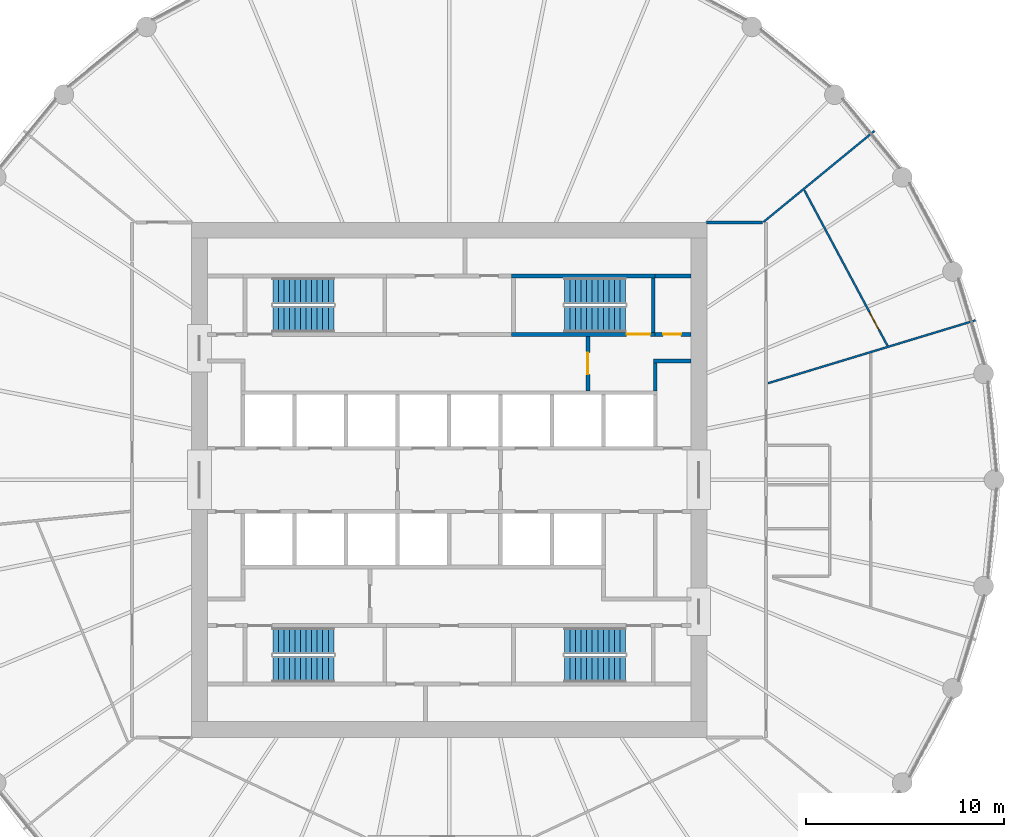
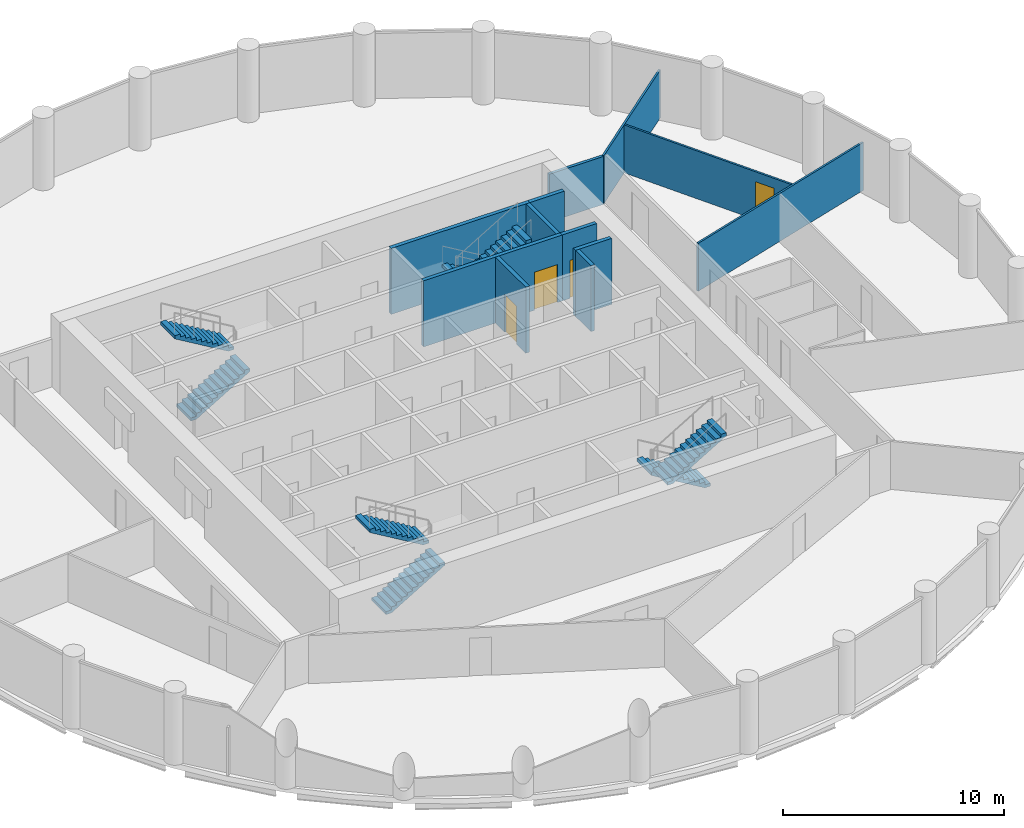
# One storey, part 7 of 8: 12 walls, 8 stair flights, 4 doors, 4 openings, 4 elements without a shape of their own.
"""IFC4 building model written with IfcOpenShell, lengths in metres."""

from ifc_helpers import new_model, si_unit, direction, frame, frame_2d, origin, place, context, subcontext, project, spatial, polyline, rectangle, outline, extrude, material, layer, layer_set, type_object, element, fill, aggregate, save


model = new_model("IFC4")

# Units and contexts
model_context = context("Model", 3, precision=1e-05, world=origin(), true_north=direction((0.0, 1.0)))
body_context = subcontext(model_context, "Body", "Model", "MODEL_VIEW")
ifc_project = project(units=[si_unit("LENGTHUNIT", "METRE"), si_unit("AREAUNIT", "SQUARE_METRE"), si_unit("VOLUMEUNIT", "CUBIC_METRE"), si_unit("PLANEANGLEUNIT", "RADIAN"), si_unit("MASSUNIT", "GRAM", prefix="KILO")], contexts=[model_context])

# Site, building, storey
site_placement = place(None, origin())
site = spatial("IfcSite", under=ifc_project, at=site_placement, CompositionType="ELEMENT")
building_placement = place(site_placement, origin())
building = spatial("IfcBuilding", under=site, at=building_placement, Name="Corvane Civic Tower", CompositionType="ELEMENT")
storey_placement = place(building_placement, frame((0.0, 0.0, 253.5)))
storey = spatial("IfcBuildingStorey", under=building, at=storey_placement, Name="L60", CompositionType="ELEMENT", Elevation=253.5)

# Wall, opening, door
ifc_material_1 = material(Name="Concrete C30/37", Category="concrete")
ifc_layer_1 = layer(ifc_material_1, 0.199951171875)
ifc_layer_set_1 = layer_set([ifc_layer_1], Name="Concrete C30/37")
wall_type_1 = type_object("IfcWallType", Name="CR-WALL-200", PredefinedType="PARTITIONING", material=ifc_layer_set_1)
wall_1_placement = place(storey_placement, frame((10.39990234375, 7.35009765625, 0.0), z_axis=(0.0, 0.0, 1.0), x_axis=(1.0, 0.0, 0.0)))
wall_1 = element("IfcWall", 1, at=wall_1_placement, inside=storey, type_object=wall_type_1, Name="L60 core partition wall", PredefinedType="PARTITIONING", context=body_context, shape_type="SweptSolid", body=[
    extrude(rectangle(XDim=1.800048828125, YDim=0.199951171875, at=frame_2d((0.89990234375, 0.0))), origin(), (0.0, 0.0, 1.0), 3.64990234375),
])
opening_1_placement = place(wall_1_placement, frame((0.39990234375, 0.0, 0.0)))
opening_1 = element("IfcOpeningElement", 2, at=opening_1_placement, cuts=wall_1, Name="Opening L60.C15", PredefinedType="OPENING", context=body_context, shape_type="SweptSolid", body=[
    extrude(rectangle(XDim=0.89990234375, YDim=2.10009765625, at=frame_2d((0.449951171875, 1.050048828125))), frame((0.0, 0.10986328125, 0.0), z_axis=(0.0, -1.0, 0.0), x_axis=(1.0, 0.0, 0.0)), (0.0, 0.0, 1.0), 0.219970703125),
])
ifc_material_2 = material(Name="Steel fire door leaf", Category="steel")
door_type_1 = type_object("IfcDoorType", Name="CR-DOOR-900", OperationType="SINGLE_SWING_LEFT", PredefinedType="DOOR", material=ifc_material_2)
door_1_placement = place(opening_1_placement, origin())
door_1 = element("IfcDoor", 3, at=door_1_placement, inside=storey, type_object=door_type_1, Name="L60 door", OperationType="SINGLE_SWING_LEFT", OverallHeight=2.10009765625, OverallWidth=0.89990234375, PredefinedType="DOOR", context=body_context, shape_type="SweptSolid", body=[
    extrude(rectangle(XDim=0.89990234375, YDim=2.10009765625, at=frame_2d((0.449951171875, 1.050048828125))), frame((0.0, 0.02490234375, 0.0), z_axis=(0.0, -1.0, 0.0), x_axis=(1.0, 0.0, 0.0)), (0.0, 0.0, 1.0), 0.050048828125),
])
fill(opening_1, door_1)

wall_2_placement = place(storey_placement, frame((7.0, 4.5, 0.0), z_axis=(0.0, 0.0, 1.0), x_axis=(0.0, 1.0, 0.0)))
wall_2 = element("IfcWall", 4, at=wall_2_placement, inside=storey, type_object=wall_type_1, Name="L60 core partition wall", PredefinedType="PARTITIONING", context=body_context, shape_type="SweptSolid", body=[
    extrude(rectangle(XDim=2.75, YDim=0.199951171875, at=frame_2d((1.375, 0.0))), origin(), (0.0, 0.0, 1.0), 3.64990234375),
])
opening_2_placement = place(wall_2_placement, frame((0.824951171875, 0.0, 0.0)))
opening_2 = element("IfcOpeningElement", 5, at=opening_2_placement, cuts=wall_2, Name="Opening L60.C23", PredefinedType="OPENING", context=body_context, shape_type="SweptSolid", body=[
    extrude(rectangle(XDim=1.10009765625, YDim=2.10009765625, at=frame_2d((0.550048828125, 1.050048828125))), frame((0.0, 0.10986328125, 0.0), z_axis=(0.0, -1.0, 0.0), x_axis=(1.0, 0.0, 0.0)), (0.0, 0.0, 1.0), 0.219970703125),
])
ifc_material_3 = material(Name="Steel fire door leaf", Category="steel")
door_type_2 = type_object("IfcDoorType", Name="CR-DOOR-FFL-1100", OperationType="SINGLE_SWING_LEFT", PredefinedType="DOOR", material=ifc_material_3)
door_2_placement = place(opening_2_placement, origin())
door_2 = element("IfcDoor", 6, at=door_2_placement, inside=storey, type_object=door_type_2, Name="L60 lobby door", OperationType="SINGLE_SWING_LEFT", OverallHeight=2.10009765625, OverallWidth=1.10009765625, PredefinedType="DOOR", context=body_context, shape_type="SweptSolid", body=[
    extrude(rectangle(XDim=1.10009765625, YDim=2.10009765625, at=frame_2d((0.550048828125, 1.050048828125))), frame((0.0, 0.02490234375, 0.0), z_axis=(0.0, -1.0, 0.0), x_axis=(1.0, 0.0, 0.0)), (0.0, 0.0, 1.0), 0.050048828125),
])
fill(opening_2, door_2)

# Walls
wall_3_placement = place(storey_placement, origin())
element("IfcWall", 7, at=wall_3_placement, inside=storey, type_object=wall_type_1, Name="L60 core partition wall", PredefinedType="PARTITIONING", context=body_context, shape_type="SweptSolid", body=[
    extrude(outline(polyline([(12.199951171875, 5.89990234375), (10.300048828125, 5.89990234375), (10.300048828125, 6.10009765625), (12.199951171875, 6.10009765625), (12.199951171875, 5.89990234375)])), origin(), (0.0, 0.0, 1.0), 3.64990234375),
])
wall_4_placement = place(storey_placement, origin())
element("IfcWall", 8, at=wall_4_placement, inside=storey, type_object=wall_type_1, Name="L60 core partition wall", PredefinedType="PARTITIONING", context=body_context, shape_type="SweptSolid", body=[
    extrude(outline(polyline([(10.5, 4.5), (10.300048828125, 4.5), (10.300048828125, 5.89990234375), (10.5, 5.89990234375), (10.5, 4.5)])), origin(), (0.0, 0.0, 1.0), 3.64990234375),
])
wall_5_placement = place(storey_placement, origin())
element("IfcWall", 9, at=wall_5_placement, inside=storey, type_object=wall_type_1, Name="L60 core partition wall", PredefinedType="PARTITIONING", context=body_context, shape_type="SweptSolid", body=[
    extrude(outline(polyline([(10.39990234375, 10.199951171875), (10.39990234375, 10.39990234375), (12.199951171875, 10.39990234375), (12.199951171875, 10.199951171875), (10.39990234375, 10.199951171875)])), origin(), (0.0, 0.0, 1.0), 3.64990234375),
])
ifc_material_4 = material(Name="Plasterboard")
ifc_layer_2 = layer(ifc_material_4, 0.10009765625)
ifc_layer_set_2 = layer_set([ifc_layer_2], Name="Plasterboard")
wall_type_2 = type_object("IfcWallType", Name="Partition 100 plasterboard on studs", PredefinedType="PARTITIONING", material=ifc_layer_set_2)
wall_6_placement = place(storey_placement, frame((16.089599609375, 4.880615234375, 0.0), z_axis=(0.0, 0.0, 1.0), x_axis=(0.956939502521, 0.290287423971, 0.0)))
element("IfcWall", 10, at=wall_6_placement, inside=storey, type_object=wall_type_2, Name="Partition L60.020", PredefinedType="PARTITIONING", context=body_context, shape_type="SweptSolid", body=[
    extrude(rectangle(XDim=10.936767578125, YDim=0.10009765625, at=frame_2d((5.46826171875, 0.0))), origin(), (0.0, 0.0, 1.0), 2.64990234375),
])

# Wall, opening, door
wall_7_placement = place(storey_placement, frame((17.919921875, 14.629150390625, 0.0), z_axis=(0.0, 0.0, 1.0), x_axis=(0.471383151243, -0.881928525859, 0.0)))
wall_7 = element("IfcWall", 11, at=wall_7_placement, inside=storey, type_object=wall_type_2, Name="Partition L60.021", PredefinedType="PARTITIONING", context=body_context, shape_type="SweptSolid", body=[
    extrude(rectangle(XDim=8.90869140625, YDim=0.10009765625, at=frame_2d((4.454345703125, 0.0))), origin(), (0.0, 0.0, 1.0), 2.64990234375),
])
opening_3_placement = place(wall_7_placement, frame((6.993408203125, 0.0, 0.0)))
opening_3 = element("IfcOpeningElement", 12, at=opening_3_placement, cuts=wall_7, Name="Opening L60.006", PredefinedType="OPENING", context=body_context, shape_type="SweptSolid", body=[
    extrude(rectangle(XDim=1.0, YDim=2.10009765625, at=frame_2d((0.5, 1.050048828125))), frame((0.0, 0.06005859375, 0.0), z_axis=(0.0, -1.0, 0.0), x_axis=(1.0, 0.0, 0.0)), (0.0, 0.0, 1.0), 0.1201171875),
])
ifc_material_5 = material(Name="Timber", Category="wood")
door_type_3 = type_object("IfcDoorType", Name="Single door 1000", OperationType="NOTDEFINED", PredefinedType="DOOR", material=ifc_material_5)
door_3_placement = place(opening_3_placement, origin())
door_3 = element("IfcDoor", 13, at=door_3_placement, inside=storey, type_object=door_type_3, Name="Door L60.006", OperationType="SINGLE_SWING_RIGHT", OverallHeight=2.10009765625, OverallWidth=1.0, PredefinedType="DOOR", context=body_context, shape_type="SweptSolid", body=[
    extrude(rectangle(XDim=1.0, YDim=2.10009765625, at=frame_2d((0.5, 1.050048828125))), frame((0.0, 0.02490234375, 0.0), z_axis=(0.0, -1.0, 0.0), x_axis=(1.0, 0.0, 0.0)), (0.0, 0.0, 1.0), 0.050048828125),
])
fill(opening_3, door_3)

# Wall
wall_8_placement = place(storey_placement, frame((15.8544921875, 13.01123046875, 0.0), z_axis=(0.0, 0.0, 1.0), x_axis=(0.772997895748, 0.634408585352, 0.0)))
element("IfcWall", 14, at=wall_8_placement, inside=storey, type_object=wall_type_2, Name="Partition L60.026", PredefinedType="PARTITIONING", context=body_context, shape_type="SweptSolid", body=[
    extrude(rectangle(XDim=7.240234375, YDim=0.10009765625, at=frame_2d((3.6201171875, 0.0))), origin(), (0.0, 0.0, 1.0), 2.64990234375),
])

# Wall, opening, door
ifc_material_6 = material(Name="Concrete C50/60", Category="concrete")
ifc_layer_3 = layer(ifc_material_6, 0.199951171875)
ifc_layer_set_3 = layer_set([ifc_layer_3], Name="Concrete C50/60")
wall_type_3 = type_object("IfcWallType", Name="ST-WALL-200", PredefinedType="SHEAR", material=ifc_layer_set_3)
wall_9_placement = place(storey_placement, frame((3.14990234375, 7.35009765625, 0.0), z_axis=(0.0, 0.0, 1.0), x_axis=(1.0, 0.0, 0.0)))
wall_9 = element("IfcWall", 15, at=wall_9_placement, inside=storey, type_object=wall_type_3, Name="L60 stair enclosure wall", PredefinedType="SHEAR", context=body_context, shape_type="SweptSolid", body=[
    extrude(rectangle(XDim=7.25, YDim=0.199951171875, at=frame_2d((3.625, 0.0))), origin(), (0.0, 0.0, 1.0), 3.64990234375),
])
opening_4_placement = place(wall_9_placement, frame((5.800048828125, 0.0, 0.0)))
opening_4 = element("IfcOpeningElement", 16, at=opening_4_placement, cuts=wall_9, Name="Opening L60.C17", PredefinedType="OPENING", context=body_context, shape_type="SweptSolid", body=[
    extrude(rectangle(XDim=1.199951171875, YDim=2.10009765625, at=frame_2d((0.60009765625, 1.050048828125))), frame((0.0, 0.10986328125, 0.0), z_axis=(0.0, -1.0, 0.0), x_axis=(1.0, 0.0, 0.0)), (0.0, 0.0, 1.0), 0.219970703125),
])
ifc_material_7 = material(Name="Steel fire door leaf", Category="steel")
door_type_4 = type_object("IfcDoorType", Name="ST-DOOR-1200", OperationType="SINGLE_SWING_RIGHT", PredefinedType="DOOR", material=ifc_material_7)
door_4_placement = place(opening_4_placement, origin())
door_4 = element("IfcDoor", 17, at=door_4_placement, inside=storey, type_object=door_type_4, Name="L60 stair door", OperationType="SINGLE_SWING_RIGHT", OverallHeight=2.10009765625, OverallWidth=1.199951171875, PredefinedType="DOOR", context=body_context, shape_type="SweptSolid", body=[
    extrude(rectangle(XDim=1.199951171875, YDim=2.10009765625, at=frame_2d((0.60009765625, 1.050048828125))), frame((0.0, 0.02490234375, 0.0), z_axis=(0.0, -1.0, 0.0), x_axis=(1.0, 0.0, 0.0)), (0.0, 0.0, 1.0), 0.050048828125),
])
fill(opening_4, door_4)

# Walls
wall_10_placement = place(storey_placement, origin())
element("IfcWall", 18, at=wall_10_placement, inside=storey, type_object=wall_type_3, Name="L60 stair enclosure wall", PredefinedType="SHEAR", context=body_context, shape_type="SweptSolid", body=[
    extrude(outline(polyline([(10.39990234375, 10.199951171875), (3.14990234375, 10.199951171875), (3.14990234375, 10.39990234375), (10.39990234375, 10.39990234375), (10.39990234375, 10.199951171875)])), origin(), (0.0, 0.0, 1.0), 3.64990234375),
])
wall_11_placement = place(storey_placement, origin())
element("IfcWall", 19, at=wall_11_placement, inside=storey, type_object=wall_type_3, Name="L60 stair enclosure wall", PredefinedType="SHEAR", context=body_context, shape_type="SweptSolid", body=[
    extrude(outline(polyline([(10.39990234375, 7.449951171875), (10.199951171875, 7.449951171875), (10.199951171875, 10.199951171875), (10.39990234375, 10.199951171875), (10.39990234375, 7.449951171875)])), origin(), (0.0, 0.0, 1.0), 3.64990234375),
])
ifc_material_8 = material(Name="Plasterboard")
ifc_layer_4 = layer(ifc_material_8, 0.14990234375)
ifc_layer_set_4 = layer_set([ifc_layer_4], Name="Plasterboard")
wall_type_4 = type_object("IfcWallType", Name="Tenancy wall 150 EI 60", PredefinedType="PARTITIONING", material=ifc_layer_set_4)
wall_12_placement = place(storey_placement, frame((12.989990234375, 13.0, 0.0), z_axis=(0.0, 0.0, 1.0), x_axis=(1.0, 0.0, 0.0)))
element("IfcWall", 20, at=wall_12_placement, inside=storey, type_object=wall_type_4, Name="Partition L60.024", PredefinedType="PARTITIONING", context=body_context, shape_type="SweptSolid", body=[
    extrude(rectangle(XDim=2.82373046875, YDim=0.14990234375, at=frame_2d((1.411865234375, 0.0))), origin(), (0.0, 0.0, 1.0), 2.64990234375),
])

# Stair, stair flights
ifc_material_9 = material(Name="Concrete C40/50", Category="concrete")
stair_type = type_object("IfcStairType", Name="ST-STAIR-HALFTURN", PredefinedType="HALF_TURN_STAIR", material=ifc_material_9)
stair_1_placement = place(storey_placement, origin())
stair_1 = element("IfcStair", 21, at=stair_1_placement, inside=storey, type_object=stair_type, Name="L60 Exit stair ST1", PredefinedType="HALF_TURN_STAIR")
ifc_material_10 = material(Name="Concrete C40/50", Category="concrete")
stair_flight_type = type_object("IfcStairFlightType", Name="ST-FLIGHT-RC", PredefinedType="STRAIGHT", material=ifc_material_10)
stair_flight_1_placement = place(storey_placement, frame((8.89990234375, 9.550048828125, 0.0), z_axis=(0.0, 0.0, 1.0), x_axis=(-1.0, 0.0, 0.0)))
stair_flight_1 = element("IfcStairFlight", 22, at=stair_flight_1_placement, type_object=stair_flight_type, Name="ST1 flight 1", NumberOfRisers=12, NumberOfTreads=11, PredefinedType="STRAIGHT", RiserHeight=0.166666667, TreadLength=0.28, context=body_context, shape_type="SweptSolid", body=[
    extrude(outline(polyline([(0.0, 0.0), (0.0, 0.166748046875), (0.280029296875, 0.166748046875), (0.280029296875, 0.333251953125), (0.56005859375, 0.333251953125), (0.56005859375, 0.5), (0.840087890625, 0.5), (0.840087890625, 0.666748046875), (1.1201171875, 0.666748046875), (1.1201171875, 0.833251953125), (1.39990234375, 0.833251953125), (1.39990234375, 1.0), (1.679931640625, 1.0), (1.679931640625, 1.166748046875), (1.9599609375, 1.166748046875), (1.9599609375, 1.333251953125), (2.239990234375, 1.333251953125), (2.239990234375, 1.5), (2.52001953125, 1.5), (2.52001953125, 1.666748046875), (2.800048828125, 1.666748046875), (2.800048828125, 1.833251953125), (3.080078125, 1.833251953125), (3.080078125, 2.0), (3.080078125, 1.658935546875), (0.29296875, 0.0), (0.0, 0.0)])), frame((0.0, 0.64990234375, 0.0), z_axis=(0.0, -1.0, 0.0), x_axis=(1.0, 0.0, 0.0)), (0.0, 0.0, 1.0), 1.300048828125),
])
stair_flight_2_placement = place(storey_placement, frame((5.820068359375, 8.10009765625, 2.0), z_axis=(0.0, 0.0, 1.0), x_axis=(1.0, 0.0, 0.0)))
stair_flight_2 = element("IfcStairFlight", 23, at=stair_flight_2_placement, type_object=stair_flight_type, Name="ST1 flight 2", NumberOfRisers=12, NumberOfTreads=11, PredefinedType="STRAIGHT", RiserHeight=0.166666667, TreadLength=0.28, context=body_context, shape_type="SweptSolid", body=[
    extrude(outline(polyline([(0.0, 0.0), (0.0, 0.166748046875), (0.280029296875, 0.166748046875), (0.280029296875, 0.333251953125), (0.56005859375, 0.333251953125), (0.56005859375, 0.5), (0.840087890625, 0.5), (0.840087890625, 0.666748046875), (1.1201171875, 0.666748046875), (1.1201171875, 0.833251953125), (1.39990234375, 0.833251953125), (1.39990234375, 1.0), (1.679931640625, 1.0), (1.679931640625, 1.166748046875), (1.9599609375, 1.166748046875), (1.9599609375, 1.333251953125), (2.239990234375, 1.333251953125), (2.239990234375, 1.5), (2.52001953125, 1.5), (2.52001953125, 1.666748046875), (2.800048828125, 1.666748046875), (2.800048828125, 1.833251953125), (3.080078125, 1.833251953125), (3.080078125, 2.0), (3.080078125, 1.658935546875), (0.29296875, 0.0), (0.0, 0.0)])), frame((0.0, 0.64990234375, 0.0), z_axis=(0.0, -1.0, 0.0), x_axis=(1.0, 0.0, 0.0)), (0.0, 0.0, 1.0), 1.300048828125),
])
aggregate(stair_1, [stair_flight_1, stair_flight_2])

stair_2_placement = place(storey_placement, origin())
stair_2 = element("IfcStair", 24, at=stair_2_placement, inside=storey, type_object=stair_type, Name="L60 Exit stair ST2", PredefinedType="HALF_TURN_STAIR")
stair_flight_3_placement = place(storey_placement, frame((8.89990234375, -8.10009765625, 0.0), z_axis=(0.0, 0.0, 1.0), x_axis=(-1.0, 0.0, 0.0)))
stair_flight_3 = element("IfcStairFlight", 25, at=stair_flight_3_placement, type_object=stair_flight_type, Name="ST2 flight 1", NumberOfRisers=12, NumberOfTreads=11, PredefinedType="STRAIGHT", RiserHeight=0.166666667, TreadLength=0.28, context=body_context, shape_type="SweptSolid", body=[
    extrude(outline(polyline([(0.0, 0.0), (0.0, 0.166748046875), (0.280029296875, 0.166748046875), (0.280029296875, 0.333251953125), (0.56005859375, 0.333251953125), (0.56005859375, 0.5), (0.840087890625, 0.5), (0.840087890625, 0.666748046875), (1.1201171875, 0.666748046875), (1.1201171875, 0.833251953125), (1.39990234375, 0.833251953125), (1.39990234375, 1.0), (1.679931640625, 1.0), (1.679931640625, 1.166748046875), (1.9599609375, 1.166748046875), (1.9599609375, 1.333251953125), (2.239990234375, 1.333251953125), (2.239990234375, 1.5), (2.52001953125, 1.5), (2.52001953125, 1.666748046875), (2.800048828125, 1.666748046875), (2.800048828125, 1.833251953125), (3.080078125, 1.833251953125), (3.080078125, 2.0), (3.080078125, 1.658935546875), (0.29296875, 0.0), (0.0, 0.0)])), frame((0.0, 0.64990234375, 0.0), z_axis=(0.0, -1.0, 0.0), x_axis=(1.0, 0.0, 0.0)), (0.0, 0.0, 1.0), 1.300048828125),
])
stair_flight_4_placement = place(storey_placement, frame((5.820068359375, -9.550048828125, 2.0), z_axis=(0.0, 0.0, 1.0), x_axis=(1.0, 0.0, 0.0)))
stair_flight_4 = element("IfcStairFlight", 26, at=stair_flight_4_placement, type_object=stair_flight_type, Name="ST2 flight 2", NumberOfRisers=12, NumberOfTreads=11, PredefinedType="STRAIGHT", RiserHeight=0.166666667, TreadLength=0.28, context=body_context, shape_type="SweptSolid", body=[
    extrude(outline(polyline([(0.0, 0.0), (0.0, 0.166748046875), (0.280029296875, 0.166748046875), (0.280029296875, 0.333251953125), (0.56005859375, 0.333251953125), (0.56005859375, 0.5), (0.840087890625, 0.5), (0.840087890625, 0.666748046875), (1.1201171875, 0.666748046875), (1.1201171875, 0.833251953125), (1.39990234375, 0.833251953125), (1.39990234375, 1.0), (1.679931640625, 1.0), (1.679931640625, 1.166748046875), (1.9599609375, 1.166748046875), (1.9599609375, 1.333251953125), (2.239990234375, 1.333251953125), (2.239990234375, 1.5), (2.52001953125, 1.5), (2.52001953125, 1.666748046875), (2.800048828125, 1.666748046875), (2.800048828125, 1.833251953125), (3.080078125, 1.833251953125), (3.080078125, 2.0), (3.080078125, 1.658935546875), (0.29296875, 0.0), (0.0, 0.0)])), frame((0.0, 0.64990234375, 0.0), z_axis=(0.0, -1.0, 0.0), x_axis=(1.0, 0.0, 0.0)), (0.0, 0.0, 1.0), 1.300048828125),
])
aggregate(stair_2, [stair_flight_3, stair_flight_4])

stair_3_placement = place(storey_placement, origin())
stair_3 = element("IfcStair", 27, at=stair_3_placement, inside=storey, type_object=stair_type, Name="L60 Exit stair ST3", PredefinedType="HALF_TURN_STAIR")
stair_flight_5_placement = place(storey_placement, frame((-8.89990234375, -9.550048828125, 0.0), z_axis=(0.0, 0.0, 1.0), x_axis=(1.0, 0.0, 0.0)))
stair_flight_5 = element("IfcStairFlight", 28, at=stair_flight_5_placement, type_object=stair_flight_type, Name="ST3 flight 1", NumberOfRisers=12, NumberOfTreads=11, PredefinedType="STRAIGHT", RiserHeight=0.166666667, TreadLength=0.28, context=body_context, shape_type="SweptSolid", body=[
    extrude(outline(polyline([(0.0, 0.0), (0.0, 0.166748046875), (0.280029296875, 0.166748046875), (0.280029296875, 0.333251953125), (0.56005859375, 0.333251953125), (0.56005859375, 0.5), (0.840087890625, 0.5), (0.840087890625, 0.666748046875), (1.1201171875, 0.666748046875), (1.1201171875, 0.833251953125), (1.39990234375, 0.833251953125), (1.39990234375, 1.0), (1.679931640625, 1.0), (1.679931640625, 1.166748046875), (1.9599609375, 1.166748046875), (1.9599609375, 1.333251953125), (2.239990234375, 1.333251953125), (2.239990234375, 1.5), (2.52001953125, 1.5), (2.52001953125, 1.666748046875), (2.800048828125, 1.666748046875), (2.800048828125, 1.833251953125), (3.080078125, 1.833251953125), (3.080078125, 2.0), (3.080078125, 1.658935546875), (0.29296875, 0.0), (0.0, 0.0)])), frame((0.0, 0.64990234375, 0.0), z_axis=(0.0, -1.0, 0.0), x_axis=(1.0, 0.0, 0.0)), (0.0, 0.0, 1.0), 1.300048828125),
])
stair_flight_6_placement = place(storey_placement, frame((-5.820068359375, -8.10009765625, 2.0), z_axis=(0.0, 0.0, 1.0), x_axis=(-1.0, 0.0, 0.0)))
stair_flight_6 = element("IfcStairFlight", 29, at=stair_flight_6_placement, type_object=stair_flight_type, Name="ST3 flight 2", NumberOfRisers=12, NumberOfTreads=11, PredefinedType="STRAIGHT", RiserHeight=0.166666667, TreadLength=0.28, context=body_context, shape_type="SweptSolid", body=[
    extrude(outline(polyline([(0.0, 0.0), (0.0, 0.166748046875), (0.280029296875, 0.166748046875), (0.280029296875, 0.333251953125), (0.56005859375, 0.333251953125), (0.56005859375, 0.5), (0.840087890625, 0.5), (0.840087890625, 0.666748046875), (1.1201171875, 0.666748046875), (1.1201171875, 0.833251953125), (1.39990234375, 0.833251953125), (1.39990234375, 1.0), (1.679931640625, 1.0), (1.679931640625, 1.166748046875), (1.9599609375, 1.166748046875), (1.9599609375, 1.333251953125), (2.239990234375, 1.333251953125), (2.239990234375, 1.5), (2.52001953125, 1.5), (2.52001953125, 1.666748046875), (2.800048828125, 1.666748046875), (2.800048828125, 1.833251953125), (3.080078125, 1.833251953125), (3.080078125, 2.0), (3.080078125, 1.658935546875), (0.29296875, 0.0), (0.0, 0.0)])), frame((0.0, 0.64990234375, 0.0), z_axis=(0.0, -1.0, 0.0), x_axis=(1.0, 0.0, 0.0)), (0.0, 0.0, 1.0), 1.300048828125),
])
aggregate(stair_3, [stair_flight_5, stair_flight_6])

stair_4_placement = place(storey_placement, origin())
stair_4 = element("IfcStair", 30, at=stair_4_placement, inside=storey, type_object=stair_type, Name="L60 Exit stair ST4", PredefinedType="HALF_TURN_STAIR")
stair_flight_7_placement = place(storey_placement, frame((-8.89990234375, 8.10009765625, 0.0), z_axis=(0.0, 0.0, 1.0), x_axis=(1.0, 0.0, 0.0)))
stair_flight_7 = element("IfcStairFlight", 31, at=stair_flight_7_placement, type_object=stair_flight_type, Name="ST4 flight 1", NumberOfRisers=12, NumberOfTreads=11, PredefinedType="STRAIGHT", RiserHeight=0.166666667, TreadLength=0.28, context=body_context, shape_type="SweptSolid", body=[
    extrude(outline(polyline([(0.0, 0.0), (0.0, 0.166748046875), (0.280029296875, 0.166748046875), (0.280029296875, 0.333251953125), (0.56005859375, 0.333251953125), (0.56005859375, 0.5), (0.840087890625, 0.5), (0.840087890625, 0.666748046875), (1.1201171875, 0.666748046875), (1.1201171875, 0.833251953125), (1.39990234375, 0.833251953125), (1.39990234375, 1.0), (1.679931640625, 1.0), (1.679931640625, 1.166748046875), (1.9599609375, 1.166748046875), (1.9599609375, 1.333251953125), (2.239990234375, 1.333251953125), (2.239990234375, 1.5), (2.52001953125, 1.5), (2.52001953125, 1.666748046875), (2.800048828125, 1.666748046875), (2.800048828125, 1.833251953125), (3.080078125, 1.833251953125), (3.080078125, 2.0), (3.080078125, 1.658935546875), (0.29296875, 0.0), (0.0, 0.0)])), frame((0.0, 0.64990234375, 0.0), z_axis=(0.0, -1.0, 0.0), x_axis=(1.0, 0.0, 0.0)), (0.0, 0.0, 1.0), 1.300048828125),
])
stair_flight_8_placement = place(storey_placement, frame((-5.820068359375, 9.550048828125, 2.0), z_axis=(0.0, 0.0, 1.0), x_axis=(-1.0, 0.0, 0.0)))
stair_flight_8 = element("IfcStairFlight", 32, at=stair_flight_8_placement, type_object=stair_flight_type, Name="ST4 flight 2", NumberOfRisers=12, NumberOfTreads=11, PredefinedType="STRAIGHT", RiserHeight=0.166666667, TreadLength=0.28, context=body_context, shape_type="SweptSolid", body=[
    extrude(outline(polyline([(0.0, 0.0), (0.0, 0.166748046875), (0.280029296875, 0.166748046875), (0.280029296875, 0.333251953125), (0.56005859375, 0.333251953125), (0.56005859375, 0.5), (0.840087890625, 0.5), (0.840087890625, 0.666748046875), (1.1201171875, 0.666748046875), (1.1201171875, 0.833251953125), (1.39990234375, 0.833251953125), (1.39990234375, 1.0), (1.679931640625, 1.0), (1.679931640625, 1.166748046875), (1.9599609375, 1.166748046875), (1.9599609375, 1.333251953125), (2.239990234375, 1.333251953125), (2.239990234375, 1.5), (2.52001953125, 1.5), (2.52001953125, 1.666748046875), (2.800048828125, 1.666748046875), (2.800048828125, 1.833251953125), (3.080078125, 1.833251953125), (3.080078125, 2.0), (3.080078125, 1.658935546875), (0.29296875, 0.0), (0.0, 0.0)])), frame((0.0, 0.64990234375, 0.0), z_axis=(0.0, -1.0, 0.0), x_axis=(1.0, 0.0, 0.0)), (0.0, 0.0, 1.0), 1.300048828125),
])
aggregate(stair_4, [stair_flight_7, stair_flight_8])

save(model, "model.ifc")
